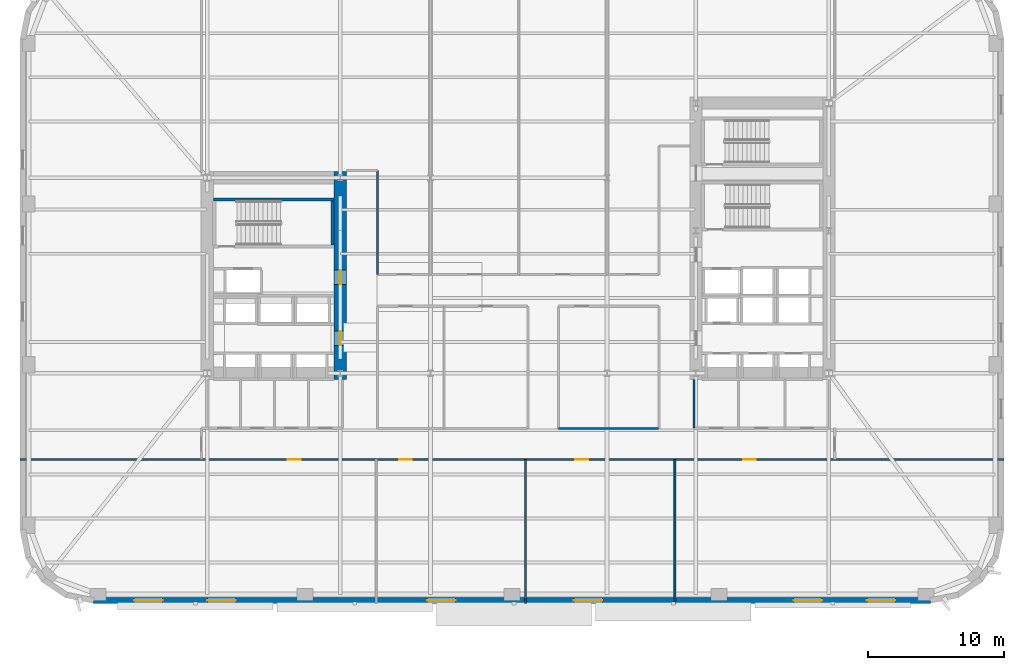
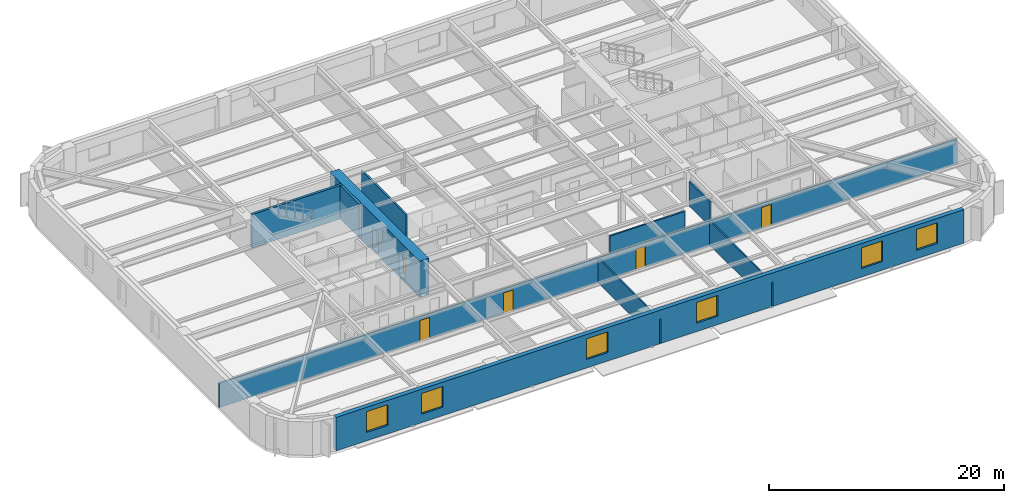
# One storey, part 5 of 15: 10 walls, 6 doors, 6 windows, 12 openings.
"""IFC4 building model written with IfcOpenShell, lengths in metres."""

from ifc_helpers import new_model, si_unit, direction, frame, frame_2d, origin, place, context, subcontext, project, spatial, rectangle, extrude, material, layer, layer_set, type_object, element, fill, save


model = new_model("IFC4")

# Units and contexts
model_context = context("Model", 3, precision=1e-05, world=origin(), true_north=direction((0.0, 1.0)))
body_context = subcontext(model_context, "Body", "Model", "MODEL_VIEW")
ifc_project = project(units=[si_unit("LENGTHUNIT", "METRE"), si_unit("AREAUNIT", "SQUARE_METRE"), si_unit("VOLUMEUNIT", "CUBIC_METRE"), si_unit("PLANEANGLEUNIT", "RADIAN"), si_unit("MASSUNIT", "GRAM", prefix="KILO")], contexts=[model_context])

# Site, building, storey
site_placement = place(None, origin())
site = spatial("IfcSite", under=ifc_project, at=site_placement, CompositionType="ELEMENT")
building_placement = place(site_placement, origin())
building = spatial("IfcBuilding", under=site, at=building_placement, Name="Kolvaren Arena Tower", CompositionType="ELEMENT")
storey_placement = place(building_placement, frame((0.0, 0.0, 83.25)))
storey = spatial("IfcBuildingStorey", under=building, at=storey_placement, Name="L18", CompositionType="ELEMENT", Elevation=83.25)

# Wall, openings, doors
ifc_material_1 = material(Name="Gypsum board acoustic assembly", Category="gypsum")
ifc_layer_1 = layer(ifc_material_1, 0.159912109375)
ifc_layer_set_1 = layer_set([ifc_layer_1], Name="Gypsum board acoustic assembly")
wall_type_1 = type_object("IfcWallType", Name="CORR-160", PredefinedType="PARTITIONING", material=ifc_layer_set_1)
wall_1_placement = place(storey_placement, frame((0.75, 13.10009765625, 0.0), z_axis=(0.0, 0.0, 1.0), x_axis=(1.0, 0.0, 0.0)))
wall_1 = element("IfcWall", 1, at=wall_1_placement, inside=storey, type_object=wall_type_1, Name="Interior Partition Wall (L18)", PredefinedType="PARTITIONING", context=body_context, shape_type="SweptSolid", body=[
    extrude(rectangle(XDim=72.5, YDim=0.159912109375, at=frame_2d((36.25, 0.0))), origin(), (0.0, 0.0, 1.0), 2.5400390625),
])
opening_1_placement = place(wall_1_placement, frame((19.72509765625, 0.0, 0.0)))
opening_1 = element("IfcOpeningElement", 2, at=opening_1_placement, cuts=wall_1, Name="Opening D05", PredefinedType="OPENING", context=body_context, shape_type="SweptSolid", body=[
    extrude(rectangle(XDim=0.949951171875, YDim=2.14990234375, at=frame_2d((0.47509765625, 1.074951171875))), frame((0.0, 0.08984375, 0.0), z_axis=(0.0, -1.0, 0.0), x_axis=(1.0, 0.0, 0.0)), (0.0, 0.0, 1.0), 0.179931640625),
])
opening_2_placement = place(wall_1_placement, frame((27.925048828125, 0.0, 0.0)))
opening_2 = element("IfcOpeningElement", 3, at=opening_2_placement, cuts=wall_1, Name="Opening D05", PredefinedType="OPENING", context=body_context, shape_type="SweptSolid", body=[
    extrude(rectangle(XDim=0.949951171875, YDim=2.14990234375, at=frame_2d((0.47509765625, 1.074951171875))), frame((0.0, 0.08984375, 0.0), z_axis=(0.0, -1.0, 0.0), x_axis=(1.0, 0.0, 0.0)), (0.0, 0.0, 1.0), 0.179931640625),
])
opening_3_placement = place(wall_1_placement, frame((40.925048828125, 0.0, 0.0)))
opening_3 = element("IfcOpeningElement", 4, at=opening_3_placement, cuts=wall_1, Name="Opening D05", PredefinedType="OPENING", context=body_context, shape_type="SweptSolid", body=[
    extrude(rectangle(XDim=0.949951171875, YDim=2.14990234375, at=frame_2d((0.47509765625, 1.074951171875))), frame((0.0, 0.08984375, 0.0), z_axis=(0.0, -1.0, 0.0), x_axis=(1.0, 0.0, 0.0)), (0.0, 0.0, 1.0), 0.179931640625),
])
opening_4_placement = place(wall_1_placement, frame((53.27490234375, 0.0, 0.0)))
opening_4 = element("IfcOpeningElement", 5, at=opening_4_placement, cuts=wall_1, Name="Opening D05", PredefinedType="OPENING", context=body_context, shape_type="SweptSolid", body=[
    extrude(rectangle(XDim=0.949951171875, YDim=2.14990234375, at=frame_2d((0.47509765625, 1.074951171875))), frame((0.0, 0.08984375, 0.0), z_axis=(0.0, -1.0, 0.0), x_axis=(1.0, 0.0, 0.0)), (0.0, 0.0, 1.0), 0.179931640625),
])
ifc_material_2 = material(Name="Solid-core oak acoustic office door", Category="wood")
door_type_1 = type_object("IfcDoorType", Name="DOOR-OF-095", OperationType="NOTDEFINED", PredefinedType="DOOR", material=ifc_material_2)
door_1_placement = place(opening_1_placement, origin())
door_1 = element("IfcDoor", 6, at=door_1_placement, inside=storey, type_object=door_type_1, Name="Executive Office Door (L18)", OperationType="SINGLE_SWING_RIGHT", OverallHeight=2.14990234375, OverallWidth=0.949951171875, PredefinedType="DOOR", context=body_context, shape_type="SweptSolid", body=[
    extrude(rectangle(XDim=0.949951171875, YDim=2.14990234375, at=frame_2d((0.47509765625, 1.074951171875))), frame((0.0, 0.02490234375, 0.0), z_axis=(0.0, -1.0, 0.0), x_axis=(1.0, 0.0, 0.0)), (0.0, 0.0, 1.0), 0.050048828125),
])
fill(opening_1, door_1)
door_2_placement = place(opening_2_placement, origin())
door_2 = element("IfcDoor", 7, at=door_2_placement, inside=storey, type_object=door_type_1, Name="Executive Office Door (L18)", OperationType="SINGLE_SWING_LEFT", OverallHeight=2.14990234375, OverallWidth=0.949951171875, PredefinedType="DOOR", context=body_context, shape_type="SweptSolid", body=[
    extrude(rectangle(XDim=0.949951171875, YDim=2.14990234375, at=frame_2d((0.47509765625, 1.074951171875))), frame((0.0, 0.02490234375, 0.0), z_axis=(0.0, -1.0, 0.0), x_axis=(1.0, 0.0, 0.0)), (0.0, 0.0, 1.0), 0.050048828125),
])
fill(opening_2, door_2)
door_3_placement = place(opening_3_placement, origin())
door_3 = element("IfcDoor", 8, at=door_3_placement, inside=storey, type_object=door_type_1, Name="Open Plan Office Door (L18)", OperationType="SINGLE_SWING_RIGHT", OverallHeight=2.14990234375, OverallWidth=0.949951171875, PredefinedType="DOOR", context=body_context, shape_type="SweptSolid", body=[
    extrude(rectangle(XDim=0.949951171875, YDim=2.14990234375, at=frame_2d((0.47509765625, 1.074951171875))), frame((0.0, 0.02490234375, 0.0), z_axis=(0.0, -1.0, 0.0), x_axis=(1.0, 0.0, 0.0)), (0.0, 0.0, 1.0), 0.050048828125),
])
fill(opening_3, door_3)
door_4_placement = place(opening_4_placement, origin())
door_4 = element("IfcDoor", 9, at=door_4_placement, inside=storey, type_object=door_type_1, Name="Corporate Project Office Door (L18)", OperationType="SINGLE_SWING_LEFT", OverallHeight=2.14990234375, OverallWidth=0.949951171875, PredefinedType="DOOR", context=body_context, shape_type="SweptSolid", body=[
    extrude(rectangle(XDim=0.949951171875, YDim=2.14990234375, at=frame_2d((0.47509765625, 1.074951171875))), frame((0.0, 0.02490234375, 0.0), z_axis=(0.0, -1.0, 0.0), x_axis=(1.0, 0.0, 0.0)), (0.0, 0.0, 1.0), 0.050048828125),
])
fill(opening_4, door_4)

# Walls
wall_2_placement = place(storey_placement, frame((27.080078125, 26.719970703125, 0.0), z_axis=(0.0, 0.0, 1.0), x_axis=(0.0, 1.0, 0.0)))
element("IfcWall", 10, at=wall_2_placement, inside=storey, type_object=wall_type_1, Name="Interior Partition Wall (L18)", PredefinedType="PARTITIONING", context=body_context, shape_type="SweptSolid", body=[
    extrude(rectangle(XDim=7.659912109375, YDim=0.159912109375, at=frame_2d((3.830078125, 0.0))), origin(), (0.0, 0.0, 1.0), 2.5400390625),
])
wall_3_placement = place(storey_placement, frame((40.43994140625, 15.3798828125, 0.0), z_axis=(0.0, 0.0, 1.0), x_axis=(1.0, 0.0, 0.0)))
element("IfcWall", 11, at=wall_3_placement, inside=storey, type_object=wall_type_1, Name="Interior Partition Wall (L18)", PredefinedType="PARTITIONING", context=body_context, shape_type="SweptSolid", body=[
    extrude(rectangle(XDim=7.360107421875, YDim=0.159912109375, at=frame_2d((3.68017578125, 0.0))), origin(), (0.0, 0.0, 1.0), 2.5400390625),
])

# Wall, openings, doors
ifc_material_3 = material(Name="Concrete 80 MPa", Category="concrete")
ifc_layer_2 = layer(ifc_material_3, 0.89990234375)
ifc_layer_set_2 = layer_set([ifc_layer_2], Name="Concrete 80 MPa")
wall_type_2 = type_object("IfcWallType", Name="CWALL-900", PredefinedType="SHEAR", material=ifc_layer_set_2)
wall_4_placement = place(storey_placement, frame((24.35009765625, 19.0, -0.27001953125), z_axis=(0.0, 0.0, 1.0), x_axis=(0.0, 1.0, 0.0)))
wall_4 = element("IfcWall", 12, at=wall_4_placement, inside=storey, type_object=wall_type_2, Name="Core Shear Wall WC-EAST (L18)", PredefinedType="SHEAR", context=body_context, shape_type="SweptSolid", body=[
    extrude(rectangle(XDim=15.300048828125, YDim=0.89990234375, at=frame_2d((7.64990234375, 0.0))), origin(), (0.0, 0.0, 1.0), 3.75),
])
opening_5_placement = place(wall_4_placement, frame((2.5, 0.0, 0.27001953125)))
opening_5 = element("IfcOpeningElement", 13, at=opening_5_placement, cuts=wall_4, Name="Opening D04", PredefinedType="OPENING", context=body_context, shape_type="SweptSolid", body=[
    extrude(rectangle(XDim=1.050048828125, YDim=2.14990234375, at=frame_2d((0.52490234375, 1.074951171875))), frame((0.0, 0.4599609375, 0.0), z_axis=(0.0, -1.0, 0.0), x_axis=(1.0, 0.0, 0.0)), (0.0, 0.0, 1.0), 0.919921875),
])
opening_6_placement = place(wall_4_placement, frame((7.0, 0.0, 0.27001953125)))
opening_6 = element("IfcOpeningElement", 14, at=opening_6_placement, cuts=wall_4, Name="Opening D04", PredefinedType="OPENING", context=body_context, shape_type="SweptSolid", body=[
    extrude(rectangle(XDim=1.050048828125, YDim=2.14990234375, at=frame_2d((0.52490234375, 1.074951171875))), frame((0.0, 0.4599609375, 0.0), z_axis=(0.0, -1.0, 0.0), x_axis=(1.0, 0.0, 0.0)), (0.0, 0.0, 1.0), 0.919921875),
])
ifc_material_4 = material(Name="Fire-rated steel lobby door", Category="steel")
door_type_2 = type_object("IfcDoorType", Name="DOOR-FF-105", OperationType="NOTDEFINED", PredefinedType="DOOR", material=ifc_material_4)
door_5_placement = place(opening_5_placement, origin())
door_5 = element("IfcDoor", 15, at=door_5_placement, inside=storey, type_object=door_type_2, Name="West Lift Lobby Fire Door (L18)", OperationType="SINGLE_SWING_LEFT", OverallHeight=2.14990234375, OverallWidth=1.050048828125, PredefinedType="DOOR", context=body_context, shape_type="SweptSolid", body=[
    extrude(rectangle(XDim=1.050048828125, YDim=2.14990234375, at=frame_2d((0.52490234375, 1.074951171875))), frame((0.0, 0.02490234375, 0.0), z_axis=(0.0, -1.0, 0.0), x_axis=(1.0, 0.0, 0.0)), (0.0, 0.0, 1.0), 0.050048828125),
])
fill(opening_5, door_5)
door_6_placement = place(opening_6_placement, origin())
door_6 = element("IfcDoor", 16, at=door_6_placement, inside=storey, type_object=door_type_2, Name="West Firefighter Vestibule Door (L18)", OperationType="SINGLE_SWING_RIGHT", OverallHeight=2.14990234375, OverallWidth=1.050048828125, PredefinedType="DOOR", context=body_context, shape_type="SweptSolid", body=[
    extrude(rectangle(XDim=1.050048828125, YDim=2.14990234375, at=frame_2d((0.52490234375, 1.074951171875))), frame((0.0, 0.02490234375, 0.0), z_axis=(0.0, -1.0, 0.0), x_axis=(1.0, 0.0, 0.0)), (0.0, 0.0, 1.0), 0.050048828125),
])
fill(opening_6, door_6)

# Wall, openings, windows
ifc_material_5 = material(Name="Precast concrete C50/60", Category="concrete")
ifc_layer_3 = layer(ifc_material_5, 0.419921875)
ifc_layer_set_3 = layer_set([ifc_layer_3], Name="Precast concrete C50/60")
wall_type_3 = type_object("IfcWallType", Name="EXT-PIER1", PredefinedType="SOLIDWALL", material=ifc_layer_set_3)
wall_5_placement = place(storey_placement, frame((67.85009765625, 2.7099609375, 0.0), z_axis=(0.0, 0.0, 1.0), x_axis=(-1.0, 0.0, 0.0)))
wall_5 = element("IfcWall", 17, at=wall_5_placement, inside=storey, type_object=wall_type_3, Name="Exterior Precast Masonry-Frame Wall (L18)", PredefinedType="SOLIDWALL", context=body_context, shape_type="SweptSolid", body=[
    extrude(rectangle(XDim=61.7001953125, YDim=0.419921875, at=frame_2d((30.85009765625, 0.0))), origin(), (0.0, 0.0, 1.0), 3.47998046875),
])
opening_7_placement = place(wall_5_placement, frame((2.60009765625, 0.0, 0.8798828125)))
opening_7 = element("IfcOpeningElement", 18, at=opening_7_placement, cuts=wall_5, Name="Opening W01", PredefinedType="OPENING", context=body_context, shape_type="SweptSolid", body=[
    extrude(rectangle(XDim=2.10009765625, YDim=2.14990234375, at=frame_2d((1.050048828125, 1.074951171875))), frame((0.0, 0.219970703125, 0.0), z_axis=(0.0, -1.0, 0.0), x_axis=(1.0, 0.0, 0.0)), (0.0, 0.0, 1.0), 0.43994140625),
])
opening_8_placement = place(wall_5_placement, frame((8.0, 0.0, 0.8798828125)))
opening_8 = element("IfcOpeningElement", 19, at=opening_8_placement, cuts=wall_5, Name="Opening W01", PredefinedType="OPENING", context=body_context, shape_type="SweptSolid", body=[
    extrude(rectangle(XDim=2.10009765625, YDim=2.14990234375, at=frame_2d((1.050048828125, 1.074951171875))), frame((0.0, 0.219970703125, 0.0), z_axis=(0.0, -1.0, 0.0), x_axis=(1.0, 0.0, 0.0)), (0.0, 0.0, 1.0), 0.43994140625),
])
opening_9_placement = place(wall_5_placement, frame((24.199951171875, 0.0, 0.8798828125)))
opening_9 = element("IfcOpeningElement", 20, at=opening_9_placement, cuts=wall_5, Name="Opening W01", PredefinedType="OPENING", context=body_context, shape_type="SweptSolid", body=[
    extrude(rectangle(XDim=2.10009765625, YDim=2.14990234375, at=frame_2d((1.050048828125, 1.074951171875))), frame((0.0, 0.219970703125, 0.0), z_axis=(0.0, -1.0, 0.0), x_axis=(1.0, 0.0, 0.0)), (0.0, 0.0, 1.0), 0.43994140625),
])
opening_10_placement = place(wall_5_placement, frame((35.0, 0.0, 0.8798828125)))
opening_10 = element("IfcOpeningElement", 21, at=opening_10_placement, cuts=wall_5, Name="Opening W01", PredefinedType="OPENING", context=body_context, shape_type="SweptSolid", body=[
    extrude(rectangle(XDim=2.10009765625, YDim=2.14990234375, at=frame_2d((1.050048828125, 1.074951171875))), frame((0.0, 0.219970703125, 0.0), z_axis=(0.0, -1.0, 0.0), x_axis=(1.0, 0.0, 0.0)), (0.0, 0.0, 1.0), 0.43994140625),
])
opening_11_placement = place(wall_5_placement, frame((51.199951171875, 0.0, 0.8798828125)))
opening_11 = element("IfcOpeningElement", 22, at=opening_11_placement, cuts=wall_5, Name="Opening W01", PredefinedType="OPENING", context=body_context, shape_type="SweptSolid", body=[
    extrude(rectangle(XDim=2.10009765625, YDim=2.14990234375, at=frame_2d((1.050048828125, 1.074951171875))), frame((0.0, 0.219970703125, 0.0), z_axis=(0.0, -1.0, 0.0), x_axis=(1.0, 0.0, 0.0)), (0.0, 0.0, 1.0), 0.43994140625),
])
opening_12_placement = place(wall_5_placement, frame((56.60009765625, 0.0, 0.8798828125)))
opening_12 = element("IfcOpeningElement", 23, at=opening_12_placement, cuts=wall_5, Name="Opening W01", PredefinedType="OPENING", context=body_context, shape_type="SweptSolid", body=[
    extrude(rectangle(XDim=2.10009765625, YDim=2.14990234375, at=frame_2d((1.050048828125, 1.074951171875))), frame((0.0, 0.219970703125, 0.0), z_axis=(0.0, -1.0, 0.0), x_axis=(1.0, 0.0, 0.0)), (0.0, 0.0, 1.0), 0.43994140625),
])
ifc_material_6 = material(Name="Triple-glazed low-E aluminium window", Category="aluminium")
window_type = type_object("IfcWindowType", Name="WIN-OFF-A", PartitioningType="DOUBLE_PANEL_VERTICAL", PredefinedType="WINDOW", material=ifc_material_6)
window_1_placement = place(opening_7_placement, origin())
window_1 = element("IfcWindow", 24, at=window_1_placement, inside=storey, type_object=window_type, Name="Punched Precast-Pier Window (L18)", OverallHeight=2.14990234375, OverallWidth=2.10009765625, PartitioningType="DOUBLE_PANEL_VERTICAL", PredefinedType="WINDOW", context=body_context, shape_type="SweptSolid", body=[
    extrude(rectangle(XDim=2.10009765625, YDim=2.14990234375, at=frame_2d((1.050048828125, 1.074951171875))), frame((0.0, 0.030029296875, 0.0), z_axis=(0.0, -1.0, 0.0), x_axis=(1.0, 0.0, 0.0)), (0.0, 0.0, 1.0), 0.06005859375),
])
fill(opening_7, window_1)
window_2_placement = place(opening_8_placement, origin())
window_2 = element("IfcWindow", 25, at=window_2_placement, inside=storey, type_object=window_type, Name="Punched Precast-Pier Window (L18)", OverallHeight=2.14990234375, OverallWidth=2.10009765625, PartitioningType="DOUBLE_PANEL_VERTICAL", PredefinedType="WINDOW", context=body_context, shape_type="SweptSolid", body=[
    extrude(rectangle(XDim=2.10009765625, YDim=2.14990234375, at=frame_2d((1.050048828125, 1.074951171875))), frame((0.0, 0.030029296875, 0.0), z_axis=(0.0, -1.0, 0.0), x_axis=(1.0, 0.0, 0.0)), (0.0, 0.0, 1.0), 0.06005859375),
])
fill(opening_8, window_2)
window_3_placement = place(opening_9_placement, origin())
window_3 = element("IfcWindow", 26, at=window_3_placement, inside=storey, type_object=window_type, Name="Punched Precast-Pier Window (L18)", OverallHeight=2.14990234375, OverallWidth=2.10009765625, PartitioningType="DOUBLE_PANEL_VERTICAL", PredefinedType="WINDOW", context=body_context, shape_type="SweptSolid", body=[
    extrude(rectangle(XDim=2.10009765625, YDim=2.14990234375, at=frame_2d((1.050048828125, 1.074951171875))), frame((0.0, 0.030029296875, 0.0), z_axis=(0.0, -1.0, 0.0), x_axis=(1.0, 0.0, 0.0)), (0.0, 0.0, 1.0), 0.06005859375),
])
fill(opening_9, window_3)
window_4_placement = place(opening_10_placement, origin())
window_4 = element("IfcWindow", 27, at=window_4_placement, inside=storey, type_object=window_type, Name="Punched Precast-Pier Window (L18)", OverallHeight=2.14990234375, OverallWidth=2.10009765625, PartitioningType="DOUBLE_PANEL_VERTICAL", PredefinedType="WINDOW", context=body_context, shape_type="SweptSolid", body=[
    extrude(rectangle(XDim=2.10009765625, YDim=2.14990234375, at=frame_2d((1.050048828125, 1.074951171875))), frame((0.0, 0.030029296875, 0.0), z_axis=(0.0, -1.0, 0.0), x_axis=(1.0, 0.0, 0.0)), (0.0, 0.0, 1.0), 0.06005859375),
])
fill(opening_10, window_4)
window_5_placement = place(opening_11_placement, origin())
window_5 = element("IfcWindow", 28, at=window_5_placement, inside=storey, type_object=window_type, Name="Punched Precast-Pier Window (L18)", OverallHeight=2.14990234375, OverallWidth=2.10009765625, PartitioningType="DOUBLE_PANEL_VERTICAL", PredefinedType="WINDOW", context=body_context, shape_type="SweptSolid", body=[
    extrude(rectangle(XDim=2.10009765625, YDim=2.14990234375, at=frame_2d((1.050048828125, 1.074951171875))), frame((0.0, 0.030029296875, 0.0), z_axis=(0.0, -1.0, 0.0), x_axis=(1.0, 0.0, 0.0)), (0.0, 0.0, 1.0), 0.06005859375),
])
fill(opening_11, window_5)
window_6_placement = place(opening_12_placement, origin())
window_6 = element("IfcWindow", 29, at=window_6_placement, inside=storey, type_object=window_type, Name="Punched Precast-Pier Window (L18)", OverallHeight=2.14990234375, OverallWidth=2.10009765625, PartitioningType="DOUBLE_PANEL_VERTICAL", PredefinedType="WINDOW", context=body_context, shape_type="SweptSolid", body=[
    extrude(rectangle(XDim=2.10009765625, YDim=2.14990234375, at=frame_2d((1.050048828125, 1.074951171875))), frame((0.0, 0.030029296875, 0.0), z_axis=(0.0, -1.0, 0.0), x_axis=(1.0, 0.0, 0.0)), (0.0, 0.0, 1.0), 0.06005859375),
])
fill(opening_12, window_6)

# Walls
ifc_material_7 = material(Name="Gypsum board partition assembly", Category="gypsum")
ifc_layer_4 = layer(ifc_material_7, 0.135009765625)
ifc_layer_set_4 = layer_set([ifc_layer_4], Name="Gypsum board partition assembly")
wall_type_4 = type_object("IfcWallType", Name="PART-135", PredefinedType="PARTITIONING", material=ifc_layer_set_4)
for number, where, z_axis, x_axis, name in (
    (30, (38.0, 2.5, 0.0), (0.0, 0.0, 1.0), (0.0, 1.0, 0.0), "Interior Partition Wall (L18)"),
    (31, (49.0, 2.5, 0.0), (0.0, 0.0, 1.0), (0.0, 1.0, 0.0), "Interior Partition Wall (L18)"),
):
    element("IfcWall", number, at=place(storey_placement, frame(where, z_axis=z_axis, x_axis=x_axis)), inside=storey, type_object=wall_type_4, Name=name, PredefinedType="PARTITIONING", context=body_context, shape_type="SweptSolid", body=[
        extrude(rectangle(XDim=10.60009765625, YDim=0.135009765625, at=frame_2d((5.300048828125, 0.0))), origin(), (0.0, 0.0, 1.0), 2.5400390625),
    ])
ifc_material_8 = material(Name="Concrete 45 MPa", Category="concrete")
ifc_layer_5 = layer(ifc_material_8, 0.25)
ifc_layer_set_5 = layer_set([ifc_layer_5], Name="Concrete 45 MPa")
wall_type_5 = type_object("IfcWallType", Name="SHAFT-250", PredefinedType="SOLIDWALL", material=ifc_layer_set_5)
wall_6_placement = place(storey_placement, frame((15.0, 32.25, 0.0), z_axis=(0.0, 0.0, 1.0), x_axis=(1.0, 0.0, 0.0)))
element("IfcWall", 32, at=wall_6_placement, inside=storey, type_object=wall_type_5, Name="Core Shaft Wall (L18)", PredefinedType="SOLIDWALL", context=body_context, shape_type="SweptSolid", body=[
    extrude(rectangle(XDim=8.89990234375, YDim=0.239990234375, at=frame_2d((4.449951171875, 0.0))), origin(), (0.0, 0.0, 1.0), 3.47998046875),
])
wall_7_placement = place(storey_placement, frame((23.780029296875, 28.89990234375, 0.0), z_axis=(0.0, 0.0, 1.0), x_axis=(0.0, 1.0, 0.0)))
element("IfcWall", 33, at=wall_7_placement, inside=storey, type_object=wall_type_5, Name="Core Shaft Wall (L18)", PredefinedType="SOLIDWALL", context=body_context, shape_type="SweptSolid", body=[
    extrude(rectangle(XDim=3.22998046875, YDim=0.239990234375, at=frame_2d((1.614990234375, 0.0))), origin(), (0.0, 0.0, 1.0), 3.47998046875),
])
ifc_material_9 = material(Name="Moisture-resistant gypsum assembly", Category="gypsum")
ifc_layer_6 = layer(ifc_material_9, 0.14990234375)
ifc_layer_set_6 = layer_set([ifc_layer_6], Name="Moisture-resistant gypsum assembly")
wall_type_6 = type_object("IfcWallType", Name="WETW-150", PredefinedType="PARTITIONING", material=ifc_layer_set_6)
wall_8_placement = place(storey_placement, frame((50.39990234375, 15.39990234375, 0.0), z_axis=(0.0, 0.0, 1.0), x_axis=(0.0, 1.0, 0.0)))
element("IfcWall", 34, at=wall_8_placement, inside=storey, type_object=wall_type_6, Name="Interior Partition Wall (L18)", PredefinedType="PARTITIONING", context=body_context, shape_type="SweptSolid", body=[
    extrude(rectangle(XDim=3.580078125, YDim=0.14990234375, at=frame_2d((1.7900390625, 0.0))), origin(), (0.0, 0.0, 1.0), 2.5400390625),
])

save(model, "model.ifc")
